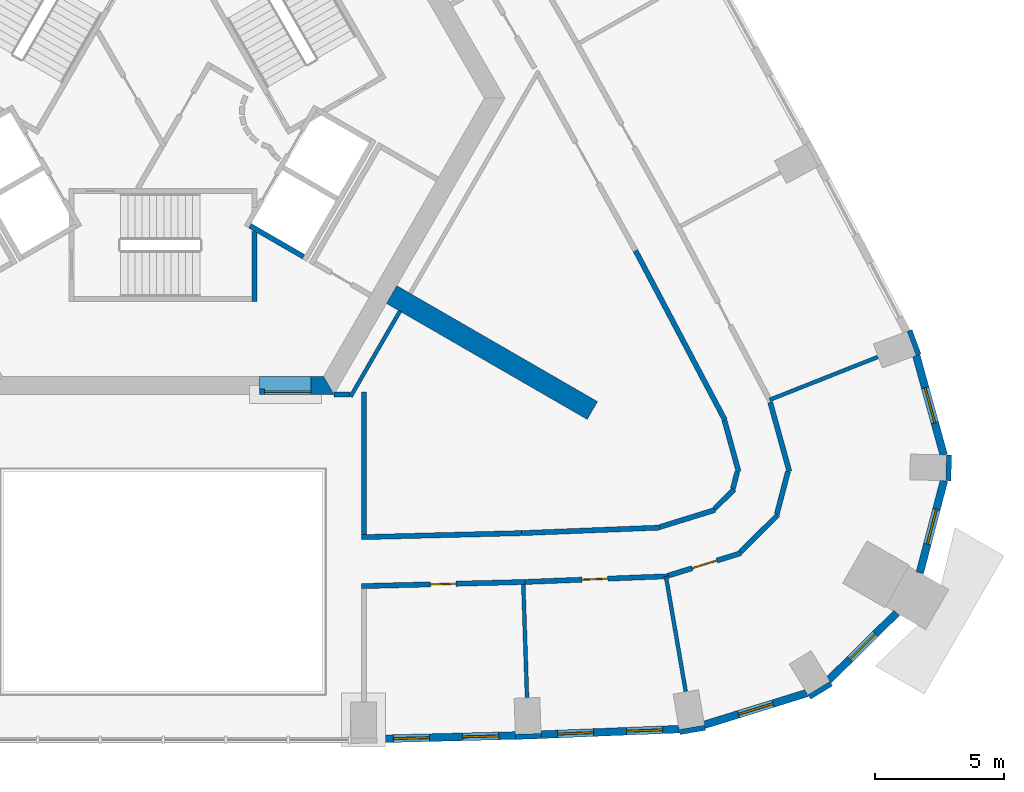
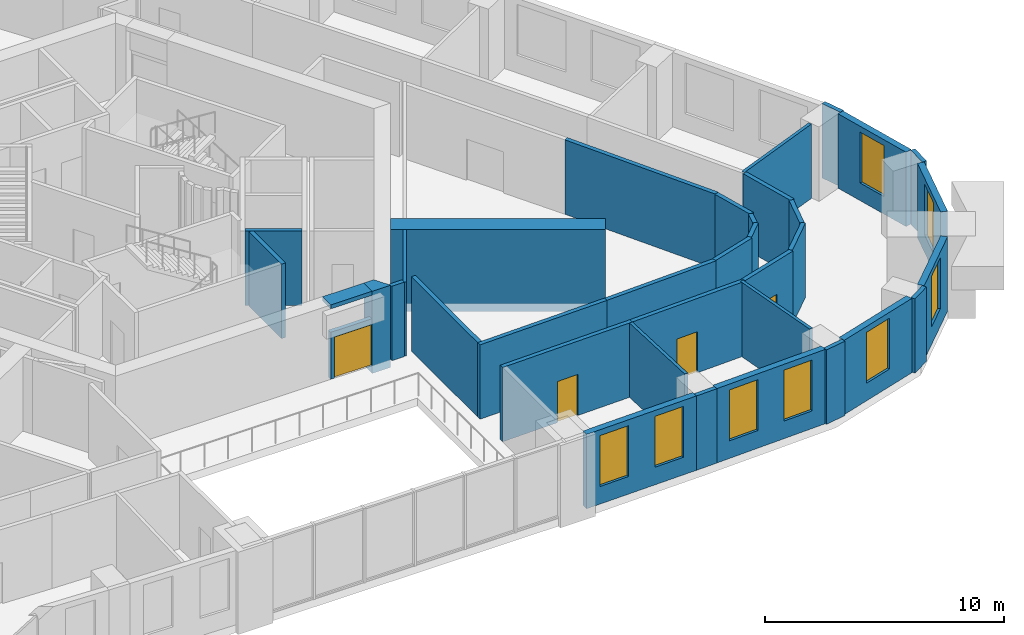
# One storey, part 6 of 13: 36 walls, 8 windows, 4 doors, 12 openings.
"""IFC4 building model written with IfcOpenShell, lengths in metres."""

from ifc_helpers import new_model, si_unit, direction, frame, frame_2d, origin, place, context, subcontext, project, spatial, polyline, rectangle, outline, extrude, material, layer, layer_set, type_object, element, fill, save


model = new_model("IFC4")

# Units and contexts
model_context = context("Model", 3, precision=1e-05, world=origin(), true_north=direction((0.0, 1.0)))
body_context = subcontext(model_context, "Body", "Model", "MODEL_VIEW")
ifc_project = project(units=[si_unit("LENGTHUNIT", "METRE"), si_unit("AREAUNIT", "SQUARE_METRE"), si_unit("VOLUMEUNIT", "CUBIC_METRE"), si_unit("PLANEANGLEUNIT", "RADIAN"), si_unit("MASSUNIT", "GRAM", prefix="KILO")], contexts=[model_context])

# Site, building, storey
site_placement = place(None, origin())
site = spatial("IfcSite", under=ifc_project, at=site_placement, CompositionType="ELEMENT")
building_placement = place(site_placement, origin())
building = spatial("IfcBuilding", under=site, at=building_placement, Name="Entoto Arch Interchange Tower", CompositionType="ELEMENT")
storey_placement = place(building_placement, frame((0.0, 0.0, 210.800048828125)))
storey = spatial("IfcBuildingStorey", under=building, at=storey_placement, Name="L47", CompositionType="ELEMENT", Elevation=210.800048828125)

# Wall
ifc_material_1 = material(Name="Concrete C50/60", Category="concrete")
ifc_layer_1 = layer(ifc_material_1, 0.800048828125)
ifc_layer_set_1 = layer_set([ifc_layer_1], Name="Concrete C50/60")
wall_type_1 = type_object("IfcWallType", Name="Buttress wall 800 C50/60", PredefinedType="SHEAR", material=ifc_layer_set_1)
wall_1_placement = place(storey_placement, frame((8.876953125, -5.125, -0.400146484375), z_axis=(0.0, 0.0, 1.0), x_axis=(0.866017533419, -0.500013631625, 0.0)))
element("IfcWall", 1, at=wall_1_placement, inside=storey, type_object=wall_type_1, Name="Buttress wall SE L47", PredefinedType="SHEAR", context=body_context, shape_type="SweptSolid", body=[
    extrude(rectangle(XDim=8.999755859375, YDim=0.800048828125, at=frame_2d((4.5, 0.0))), origin(), (0.0, 0.0, 1.0), 4.2001953125),
])

# Wall, opening, door
ifc_material_2 = material(Name="Reinforced concrete C40/50", Category="concrete")
ifc_layer_2 = layer(ifc_material_2, 0.199951171875)
ifc_layer_set_2 = layer_set([ifc_layer_2], Name="Reinforced concrete C40/50")
wall_type_2 = type_object("IfcWallType", Name="CORE GAP INFILL WALL", PredefinedType="PARTITIONING", material=ifc_layer_set_2)
wall_2_placement = place(storey_placement, frame((3.75, -8.89990234375, 0.0), z_axis=(0.0, 0.0, 1.0), x_axis=(1.0, 0.0, 0.0)))
wall_2 = element("IfcWall", 2, at=wall_2_placement, inside=storey, type_object=wall_type_2, Name="wall:L47:gap1", PredefinedType="PARTITIONING", context=body_context, shape_type="SweptSolid", body=[
    extrude(rectangle(XDim=2.0, YDim=0.199951171875, at=frame_2d((1.0, 0.0))), origin(), (0.0, 0.0, 1.0), 2.39990234375),
])
opening_1_placement = place(wall_2_placement, frame((0.18994140625, 0.0, 0.0)))
opening_1 = element("IfcOpeningElement", 3, at=opening_1_placement, cuts=wall_2, Name="Opening L47-D91", PredefinedType="OPENING", context=body_context, shape_type="SweptSolid", body=[
    extrude(rectangle(XDim=1.800048828125, YDim=2.10009765625, at=frame_2d((0.89990234375, 1.050048828125))), frame((0.0, 0.10986328125, 0.0), z_axis=(0.0, -1.0, 0.0), x_axis=(1.0, 0.0, 0.0)), (0.0, 0.0, 1.0), 0.219970703125),
])
ifc_material_3 = material(Name="Fire-rated Steel S235 door and frame", Category="steel")
door_type_1 = type_object("IfcDoorType", Name="DOOR FD-18 1800x2100", OperationType="DOUBLE_DOOR_SINGLE_SWING", PredefinedType="DOOR", material=ifc_material_3)
door_1_placement = place(opening_1_placement, origin())
door_1 = element("IfcDoor", 4, at=door_1_placement, inside=storey, type_object=door_type_1, Name="door:L47:gap1", OperationType="DOUBLE_DOOR_SINGLE_SWING", OverallHeight=2.10009765625, OverallWidth=1.800048828125, PredefinedType="DOOR", context=body_context, shape_type="SweptSolid", body=[
    extrude(rectangle(XDim=1.800048828125, YDim=2.10009765625, at=frame_2d((0.89990234375, 1.050048828125))), frame((0.0, 0.02490234375, 0.0), z_axis=(0.0, -1.0, 0.0), x_axis=(1.0, 0.0, 0.0)), (0.0, 0.0, 1.0), 0.050048828125),
])
fill(opening_1, door_1)

# Walls
ifc_layer_3 = layer(ifc_material_1, 0.699951171875)
ifc_layer_set_3 = layer_set([ifc_layer_3], Name="Concrete C50/60")
wall_type_3 = type_object("IfcWallType", Name="Core wall 700 C50/60", PredefinedType="SHEAR", material=ifc_layer_set_3)
wall_3_placement = place(storey_placement, frame((0.0, 0.0, -0.400146484375)))
element("IfcWall", 5, at=wall_3_placement, inside=storey, type_object=wall_type_3, Name="Core wall S L47", PredefinedType="SHEAR", context=body_context, shape_type="SweptSolid", body=[
    extrude(outline(polyline([(5.75, -8.300048828125), (5.75, -9.0), (6.639892578125, -9.0), (6.235107421875, -8.300048828125), (5.75, -8.300048828125)])), origin(), (0.0, 0.0, 1.0), 4.2001953125),
])
wall_4_placement = place(storey_placement, frame((0.0, 0.0, 3.599853515625)))
element("IfcWall", 6, at=wall_4_placement, inside=storey, type_object=wall_type_3, Name="Core wall lintel S L47", PredefinedType="SHEAR", context=body_context, shape_type="SweptSolid", body=[
    extrude(outline(polyline([(5.75, -9.0), (5.75, -8.300048828125), (3.75, -8.300048828125), (3.75, -9.0), (5.75, -9.0)])), origin(), (0.0, 0.0, 1.0), 0.2001953125),
])
ifc_material_4 = material(Name="Concrete C40/50", Category="concrete")
ifc_layer_4 = layer(ifc_material_4, 0.199951171875)
ifc_layer_set_4 = layer_set([ifc_layer_4], Name="Concrete C40/50")
wall_type_4 = type_object("IfcWallType", Name="LIFT SHAFT WALL 200", PredefinedType="STANDARD", material=ifc_layer_set_4)
wall_5_placement = place(storey_placement, frame((3.376953125, -2.451904296875, 0.0), z_axis=(0.0, 0.0, 1.0), x_axis=(0.865955154139, -0.50012165622, 0.0)))
element("IfcWall", 7, at=wall_5_placement, inside=storey, type_object=wall_type_4, Name="Shaft wall SE1 cross 1", PredefinedType="STANDARD", context=body_context, shape_type="SweptSolid", body=[
    extrude(rectangle(XDim=2.39990234375, YDim=0.199951171875, at=frame_2d((1.199951171875, 0.0))), origin(), (0.0, 0.0, 1.0), 3.800048828125),
])
ifc_material_5 = material(Name="Gypsum board partition on steel studs", Category="steel")
ifc_layer_5 = layer(ifc_material_5, 0.14990234375)
ifc_layer_set_5 = layer_set([ifc_layer_5], Name="Gypsum board partition on steel studs")
wall_type_5 = type_object("IfcWallType", Name="PARTITION 150", PredefinedType="PARTITIONING", material=ifc_layer_set_5)
wall_6_placement = place(storey_placement, frame((7.282958984375, -9.0859375, 0.0), z_axis=(0.0, 0.0, 1.0), x_axis=(0.500035303972, 0.866005020067, 0.0)))
element("IfcWall", 8, at=wall_6_placement, inside=storey, type_object=wall_type_5, Name="wall:L47:p078", PredefinedType="PARTITIONING", context=body_context, shape_type="SweptSolid", body=[
    extrude(rectangle(XDim=3.827880859375, YDim=0.14990234375, at=frame_2d((1.9140625, 0.0))), origin(), (0.0, 0.0, 1.0), 3.800048828125),
])
wall_7_placement = place(storey_placement, frame((13.989990234375, -16.385986328125, 0.0), z_axis=(0.0, 0.0, 1.0), x_axis=(0.032438863816, -0.999473721573, 0.0)))
element("IfcWall", 9, at=wall_7_placement, inside=storey, type_object=wall_type_5, Name="wall:L47:p109", PredefinedType="PARTITIONING", context=body_context, shape_type="SweptSolid", body=[
    extrude(rectangle(XDim=4.380126953125, YDim=0.14990234375, at=frame_2d((2.18994140625, 0.0))), origin(), (0.0, 0.0, 1.0), 3.800048828125),
])
wall_8_placement = place(storey_placement, frame((19.527099609375, -16.06494140625, 0.0), z_axis=(0.0, 0.0, 1.0), x_axis=(0.169437821314, -0.985540879268, 0.0)))
element("IfcWall", 10, at=wall_8_placement, inside=storey, type_object=wall_type_5, Name="wall:L47:p110", PredefinedType="PARTITIONING", context=body_context, shape_type="SweptSolid", body=[
    extrude(rectangle(XDim=4.531494140625, YDim=0.14990234375, at=frame_2d((2.265625, 0.0))), origin(), (0.0, 0.0, 1.0), 3.800048828125),
])
wall_9_placement = place(storey_placement, frame((23.552001953125, -9.2119140625, 0.0), z_axis=(0.0, 0.0, 1.0), x_axis=(0.929720624715, 0.368265610639, 0.0)))
element("IfcWall", 11, at=wall_9_placement, inside=storey, type_object=wall_type_5, Name="wall:L47:p111", PredefinedType="PARTITIONING", context=body_context, shape_type="SweptSolid", body=[
    extrude(rectangle(XDim=4.515380859375, YDim=0.14990234375, at=frame_2d((2.2578125, 0.0))), origin(), (0.0, 0.0, 1.0), 3.800048828125),
])
ifc_layer_6 = layer(ifc_material_5, 0.199951171875)
ifc_layer_set_6 = layer_set([ifc_layer_6], Name="Gypsum board partition on steel studs")
wall_type_6 = type_object("IfcWallType", Name="PARTITION 200", PredefinedType="PARTITIONING", material=ifc_layer_set_6)
wall_10_placement = place(storey_placement, frame((7.699951171875, -14.5439453125, 0.0), z_axis=(0.0, 0.0, 1.0), x_axis=(0.99968218628, 0.025209649611, 0.0)))
element("IfcWall", 12, at=wall_10_placement, inside=storey, type_object=wall_type_6, Name="wall:L47:p015", PredefinedType="PARTITIONING", context=body_context, shape_type="SweptSolid", body=[
    extrude(rectangle(XDim=6.22705078125, YDim=0.199951171875, at=frame_2d((3.113525390625, 0.0))), origin(), (0.0, 0.0, 1.0), 3.800048828125),
])
wall_11_placement = place(storey_placement, frame((13.925048828125, -14.386962890625, 0.0), z_axis=(0.0, 0.0, 1.0), x_axis=(0.999202986342, 0.039917315597, 0.0)))
element("IfcWall", 13, at=wall_11_placement, inside=storey, type_object=wall_type_6, Name="wall:L47:p016", PredefinedType="PARTITIONING", context=body_context, shape_type="SweptSolid", body=[
    extrude(rectangle(XDim=5.38232421875, YDim=0.199951171875, at=frame_2d((2.691162109375, 0.0))), origin(), (0.0, 0.0, 1.0), 3.800048828125),
])
wall_12_placement = place(storey_placement, frame((19.299072265625, -14.14697265625, 0.0), z_axis=(0.0, 0.0, 1.0), x_axis=(0.955241047187, 0.295828568211, 0.0)))
element("IfcWall", 14, at=wall_12_placement, inside=storey, type_object=wall_type_6, Name="wall:L47:p017", PredefinedType="PARTITIONING", context=body_context, shape_type="SweptSolid", body=[
    extrude(rectangle(XDim=2.234130859375, YDim=0.199951171875, at=frame_2d((1.1171875, 0.0))), origin(), (0.0, 0.0, 1.0), 3.800048828125),
])
wall_13_placement = place(storey_placement, frame((21.407958984375, -13.445068359375, 0.0), z_axis=(0.0, 0.0, 1.0), x_axis=(0.711298443117, 0.702890122863, 0.0)))
element("IfcWall", 15, at=wall_13_placement, inside=storey, type_object=wall_type_6, Name="wall:L47:p018", PredefinedType="PARTITIONING", context=body_context, shape_type="SweptSolid", body=[
    extrude(rectangle(XDim=1.07421875, YDim=0.199951171875, at=frame_2d((0.537109375, 0.0))), origin(), (0.0, 0.0, 1.0), 3.800048828125),
])
wall_14_placement = place(storey_placement, frame((22.1259765625, -12.6640625, 0.0), z_axis=(0.0, 0.0, 1.0), x_axis=(0.253079435581, 0.967445501972, 0.0)))
element("IfcWall", 16, at=wall_14_placement, inside=storey, type_object=wall_type_6, Name="wall:L47:p019", PredefinedType="PARTITIONING", context=body_context, shape_type="SweptSolid", body=[
    extrude(rectangle(XDim=0.68017578125, YDim=0.199951171875, at=frame_2d((0.340087890625, 0.0))), origin(), (0.0, 0.0, 1.0), 3.800048828125),
])
wall_15_placement = place(storey_placement, frame((22.35009765625, -12.006103515625, 0.0), z_axis=(0.0, 0.0, 1.0), x_axis=(-0.265584627827, 0.964087550725, 0.0)))
element("IfcWall", 17, at=wall_15_placement, inside=storey, type_object=wall_type_6, Name="wall:L47:p020", PredefinedType="PARTITIONING", context=body_context, shape_type="SweptSolid", body=[
    extrude(rectangle(XDim=2.0673828125, YDim=0.199951171875, at=frame_2d((1.03369140625, 0.0))), origin(), (0.0, 0.0, 1.0), 3.800048828125),
])
wall_16_placement = place(storey_placement, frame((21.821044921875, -10.0048828125, 0.0), z_axis=(0.0, 0.0, 1.0), x_axis=(-0.466770012358, 0.884378739887, 0.0)))
element("IfcWall", 18, at=wall_16_placement, inside=storey, type_object=wall_type_6, Name="wall:L47:p021", PredefinedType="PARTITIONING", context=body_context, shape_type="SweptSolid", body=[
    extrude(rectangle(XDim=7.44921875, YDim=0.199951171875, at=frame_2d((3.724609375, 0.0))), origin(), (0.0, 0.0, 1.0), 3.800048828125),
])

# Wall, opening, door
wall_17_placement = place(storey_placement, frame((14.06103515625, -16.283935546875, 0.0), z_axis=(0.0, 0.0, 1.0), x_axis=(-0.999679323762, -0.025322907453, 0.0)))
wall_17 = element("IfcWall", 19, at=wall_17_placement, inside=storey, type_object=wall_type_6, Name="wall:L47:p037", PredefinedType="PARTITIONING", context=body_context, shape_type="SweptSolid", body=[
    extrude(rectangle(XDim=6.363037109375, YDim=0.199951171875, at=frame_2d((3.181640625, 0.0))), origin(), (0.0, 0.0, 1.0), 3.800048828125),
])
opening_2_placement = place(wall_17_placement, frame((2.681884765625, 0.0, 0.0)))
opening_2 = element("IfcOpeningElement", 20, at=opening_2_placement, cuts=wall_17, Name="Opening L47-D01", PredefinedType="OPENING", context=body_context, shape_type="SweptSolid", body=[
    extrude(rectangle(XDim=1.0, YDim=2.10009765625, at=frame_2d((0.5, 1.050048828125))), frame((0.0, 0.10986328125, 0.0), z_axis=(0.0, -1.0, 0.0), x_axis=(1.0, 0.0, 0.0)), (0.0, 0.0, 1.0), 0.219970703125),
])
ifc_material_6 = material(Name="Timber door leaf in Steel S235 frame", Category="steel")
door_type_2 = type_object("IfcDoorType", Name="DOOR DS-10 1000x2100", OperationType="SINGLE_SWING_LEFT", PredefinedType="DOOR", material=ifc_material_6)
door_2_placement = place(opening_2_placement, origin())
door_2 = element("IfcDoor", 21, at=door_2_placement, inside=storey, type_object=door_type_2, Name="door:L47:01", OperationType="SINGLE_SWING_LEFT", OverallHeight=2.10009765625, OverallWidth=1.0, PredefinedType="DOOR", context=body_context, shape_type="SweptSolid", body=[
    extrude(rectangle(XDim=1.0, YDim=2.10009765625, at=frame_2d((0.5, 1.050048828125))), frame((0.0, 0.02490234375, 0.0), z_axis=(0.0, -1.0, 0.0), x_axis=(1.0, 0.0, 0.0)), (0.0, 0.0, 1.0), 0.050048828125),
])
fill(opening_2, door_2)

wall_18_placement = place(storey_placement, frame((19.626953125, -16.06103515625, 0.0), z_axis=(0.0, 0.0, 1.0), x_axis=(-0.999206061563, -0.039840262741, 0.0)))
wall_18 = element("IfcWall", 22, at=wall_18_placement, inside=storey, type_object=wall_type_6, Name="wall:L47:p038", PredefinedType="PARTITIONING", context=body_context, shape_type="SweptSolid", body=[
    extrude(rectangle(XDim=5.5703125, YDim=0.199951171875, at=frame_2d((2.78515625, 0.0))), origin(), (0.0, 0.0, 1.0), 3.800048828125),
])
opening_3_placement = place(wall_18_placement, frame((2.360107421875, 0.0, 0.0)))
opening_3 = element("IfcOpeningElement", 23, at=opening_3_placement, cuts=wall_18, Name="Opening L47-D02", PredefinedType="OPENING", context=body_context, shape_type="SweptSolid", body=[
    extrude(rectangle(XDim=1.0, YDim=2.10009765625, at=frame_2d((0.5, 1.050048828125))), frame((0.0, 0.10986328125, 0.0), z_axis=(0.0, -1.0, 0.0), x_axis=(1.0, 0.0, 0.0)), (0.0, 0.0, 1.0), 0.219970703125),
])
door_3_placement = place(opening_3_placement, origin())
door_3 = element("IfcDoor", 24, at=door_3_placement, inside=storey, type_object=door_type_2, Name="door:L47:02", OperationType="SINGLE_SWING_LEFT", OverallHeight=2.10009765625, OverallWidth=1.0, PredefinedType="DOOR", context=body_context, shape_type="SweptSolid", body=[
    extrude(rectangle(XDim=1.0, YDim=2.10009765625, at=frame_2d((0.5, 1.050048828125))), frame((0.0, 0.02490234375, 0.0), z_axis=(0.0, -1.0, 0.0), x_axis=(1.0, 0.0, 0.0)), (0.0, 0.0, 1.0), 0.050048828125),
])
fill(opening_3, door_3)

# Walls
wall_19_placement = place(storey_placement, frame((23.577880859375, -9.30908203125, 0.0), z_axis=(0.0, 0.0, 1.0), x_axis=(0.265884037198, -0.964005020092, 0.0)))
element("IfcWall", 25, at=wall_19_placement, inside=storey, type_object=wall_type_6, Name="wall:L47:p039", PredefinedType="PARTITIONING", context=body_context, shape_type="SweptSolid", body=[
    extrude(rectangle(XDim=2.783935546875, YDim=0.199951171875, at=frame_2d((1.39208984375, 0.0))), origin(), (0.0, 0.0, 1.0), 3.800048828125),
])
wall_20_placement = place(storey_placement, frame((24.26611328125, -11.992919921875, 0.0), z_axis=(0.0, 0.0, 1.0), x_axis=(-0.253025690571, -0.967459559832, 0.0)))
element("IfcWall", 26, at=wall_20_placement, inside=storey, type_object=wall_type_6, Name="wall:L47:p040", PredefinedType="PARTITIONING", context=body_context, shape_type="SweptSolid", body=[
    extrude(rectangle(XDim=1.711669921875, YDim=0.199951171875, at=frame_2d((0.85595703125, 0.0))), origin(), (0.0, 0.0, 1.0), 3.800048828125),
])
wall_21_placement = place(storey_placement, frame((23.8779296875, -13.675048828125, 0.0), z_axis=(0.0, 0.0, 1.0), x_axis=(-0.710949827962, -0.703242733429, 0.0)))
element("IfcWall", 27, at=wall_21_placement, inside=storey, type_object=wall_type_6, Name="wall:L47:p041", PredefinedType="PARTITIONING", context=body_context, shape_type="SweptSolid", body=[
    extrude(rectangle(XDim=2.05908203125, YDim=0.199951171875, at=frame_2d((1.029541015625, 0.0))), origin(), (0.0, 0.0, 1.0), 3.800048828125),
])

# Wall, opening, door
wall_22_placement = place(storey_placement, frame((22.43798828125, -15.1630859375, 0.0), z_axis=(0.0, 0.0, 1.0), x_axis=(-0.955234616163, -0.295849333419, 0.0)))
wall_22 = element("IfcWall", 28, at=wall_22_placement, inside=storey, type_object=wall_type_6, Name="wall:L47:p042", PredefinedType="PARTITIONING", context=body_context, shape_type="SweptSolid", body=[
    extrude(rectangle(XDim=2.94677734375, YDim=0.199951171875, at=frame_2d((1.473388671875, 0.0))), origin(), (0.0, 0.0, 1.0), 3.800048828125),
])
opening_4_placement = place(wall_22_placement, frame((0.97412109375, 0.0, 0.0)))
opening_4 = element("IfcOpeningElement", 29, at=opening_4_placement, cuts=wall_22, Name="Opening L47-D03", PredefinedType="OPENING", context=body_context, shape_type="SweptSolid", body=[
    extrude(rectangle(XDim=1.0, YDim=2.10009765625, at=frame_2d((0.5, 1.050048828125))), frame((0.0, 0.10986328125, 0.0), z_axis=(0.0, -1.0, 0.0), x_axis=(1.0, 0.0, 0.0)), (0.0, 0.0, 1.0), 0.219970703125),
])
door_4_placement = place(opening_4_placement, origin())
door_4 = element("IfcDoor", 30, at=door_4_placement, inside=storey, type_object=door_type_2, Name="door:L47:03", OperationType="SINGLE_SWING_LEFT", OverallHeight=2.10009765625, OverallWidth=1.0, PredefinedType="DOOR", context=body_context, shape_type="SweptSolid", body=[
    extrude(rectangle(XDim=1.0, YDim=2.10009765625, at=frame_2d((0.5, 1.050048828125))), frame((0.0, 0.02490234375, 0.0), z_axis=(0.0, -1.0, 0.0), x_axis=(1.0, 0.0, 0.0)), (0.0, 0.0, 1.0), 0.050048828125),
])
fill(opening_4, door_4)

# Walls
wall_23_placement = place(storey_placement, frame((6.64111328125, -8.9990234375, 0.0), z_axis=(0.0, 0.0, 1.0), x_axis=(1.0, 0.0, 0.0)))
element("IfcWall", 31, at=wall_23_placement, inside=storey, type_object=wall_type_6, Name="wall:L47:p077", PredefinedType="PARTITIONING", context=body_context, shape_type="SweptSolid", body=[
    extrude(rectangle(XDim=0.616943359375, YDim=0.199951171875, at=frame_2d((0.30859375, 0.0))), origin(), (0.0, 0.0, 1.0), 3.800048828125),
])
wall_24_placement = place(storey_placement, frame((7.800048828125, -8.89892578125, 0.0), z_axis=(0.0, 0.0, 1.0), x_axis=(0.0, -1.0, 0.0)))
element("IfcWall", 32, at=wall_24_placement, inside=storey, type_object=wall_type_6, Name="wall:L47:p091", PredefinedType="PARTITIONING", context=body_context, shape_type="SweptSolid", body=[
    extrude(rectangle(XDim=5.5419921875, YDim=0.199951171875, at=frame_2d((2.77099609375, 0.0))), origin(), (0.0, 0.0, 1.0), 3.800048828125),
])
ifc_layer_7 = layer(ifc_material_4, 0.199951171875)
ifc_layer_set_7 = layer_set([ifc_layer_7], Name="Concrete C40/50")
wall_type_7 = type_object("IfcWallType", Name="STAIR ENCLOSURE WALL 200", PredefinedType="STANDARD", material=ifc_layer_set_7)
wall_25_placement = place(storey_placement, frame((3.550048828125, -2.6669921875, 0.0), z_axis=(0.0, 0.0, 1.0), x_axis=(0.0, -1.0, 0.0)))
element("IfcWall", 33, at=wall_25_placement, inside=storey, type_object=wall_type_7, Name="Stair wall ST-S far", PredefinedType="STANDARD", context=body_context, shape_type="SweptSolid", body=[
    extrude(rectangle(XDim=2.73291015625, YDim=0.199951171875, at=frame_2d((1.366455078125, 0.0))), origin(), (0.0, 0.0, 1.0), 3.800048828125),
])

# Wall, openings, windows
ifc_material_7 = material(Name="Welded tuff (ignimbrite) cladding, warm buff", Category="masonry")
ifc_layer_8 = layer(ifc_material_7, 0.300048828125)
ifc_layer_set_8 = layer_set([ifc_layer_8], Name="Welded tuff (ignimbrite) cladding, warm buff")
wall_type_8 = type_object("IfcWallType", Name="STONE INFILL WALL 300", PredefinedType="STANDARD", material=ifc_layer_set_8)
wall_26_placement = place(storey_placement, frame((8.297119140625, -22.381103515625, 0.0), z_axis=(0.0, 0.0, 1.0), x_axis=(0.999685717988, 0.025069209235, 0.0)))
wall_26 = element("IfcWall", 34, at=wall_26_placement, inside=storey, type_object=wall_type_8, Name="Facade wall S-04 L47", PredefinedType="STANDARD", context=body_context, shape_type="SweptSolid", body=[
    extrude(rectangle(XDim=5.385498046875, YDim=0.300048828125, at=frame_2d((2.69287109375, 0.0))), origin(), (0.0, 0.0, 1.0), 3.800048828125),
])
opening_5_placement = place(wall_26_placement, frame((0.64599609375, 0.0, 0.89990234375)))
opening_5 = element("IfcOpeningElement", 35, at=opening_5_placement, cuts=wall_26, Name="Opening WO-B", PredefinedType="OPENING", context=body_context, shape_type="SweptSolid", body=[
    extrude(rectangle(XDim=1.39990234375, YDim=2.60009765625, at=frame_2d((0.699951171875, 1.300048828125))), frame((0.0, 0.16015625, 0.0), z_axis=(0.0, -1.0, 0.0), x_axis=(1.0, 0.0, 0.0)), (0.0, 0.0, 1.0), 0.320068359375),
])
opening_6_placement = place(wall_26_placement, frame((3.339111328125, 0.0, 0.89990234375)))
opening_6 = element("IfcOpeningElement", 36, at=opening_6_placement, cuts=wall_26, Name="Opening WO-B", PredefinedType="OPENING", context=body_context, shape_type="SweptSolid", body=[
    extrude(rectangle(XDim=1.39990234375, YDim=2.60009765625, at=frame_2d((0.699951171875, 1.300048828125))), frame((0.0, 0.16015625, 0.0), z_axis=(0.0, -1.0, 0.0), x_axis=(1.0, 0.0, 0.0)), (0.0, 0.0, 1.0), 0.320068359375),
])
ifc_material_8 = material(Name="Clear glass, low-e double glazed", Category="glass")
window_type = type_object("IfcWindowType", Name="WINDOW WO-B 1400x2600", PartitioningType="DOUBLE_PANEL_VERTICAL", PredefinedType="WINDOW", material=ifc_material_8)
window_1_placement = place(opening_5_placement, origin())
window_1 = element("IfcWindow", 37, at=window_1_placement, inside=storey, type_object=window_type, Name="Window WO-B S-04 L47", OverallHeight=2.60009765625, OverallWidth=1.39990234375, PartitioningType="SINGLE_PANEL", PredefinedType="WINDOW", context=body_context, shape_type="SweptSolid", body=[
    extrude(rectangle(XDim=1.39990234375, YDim=2.60009765625, at=frame_2d((0.699951171875, 1.300048828125))), frame((0.0, 0.030029296875, 0.0), z_axis=(0.0, -1.0, 0.0), x_axis=(1.0, 0.0, 0.0)), (0.0, 0.0, 1.0), 0.06005859375),
])
fill(opening_5, window_1)
window_2_placement = place(opening_6_placement, origin())
window_2 = element("IfcWindow", 38, at=window_2_placement, inside=storey, type_object=window_type, Name="Window WO-B S-04 L47", OverallHeight=2.60009765625, OverallWidth=1.39990234375, PartitioningType="SINGLE_PANEL", PredefinedType="WINDOW", context=body_context, shape_type="SweptSolid", body=[
    extrude(rectangle(XDim=1.39990234375, YDim=2.60009765625, at=frame_2d((0.699951171875, 1.300048828125))), frame((0.0, 0.030029296875, 0.0), z_axis=(0.0, -1.0, 0.0), x_axis=(1.0, 0.0, 0.0)), (0.0, 0.0, 1.0), 0.06005859375),
])
fill(opening_6, window_2)

wall_27_placement = place(storey_placement, frame((14.678955078125, -22.212890625, 0.0), z_axis=(0.0, 0.0, 1.0), x_axis=(0.999205241612, 0.039860822062, 0.0)))
wall_27 = element("IfcWall", 39, at=wall_27_placement, inside=storey, type_object=wall_type_8, Name="Facade wall S-05 L47", PredefinedType="STANDARD", context=body_context, shape_type="SweptSolid", body=[
    extrude(rectangle(XDim=5.365234375, YDim=0.300048828125, at=frame_2d((2.6826171875, 0.0))), origin(), (0.0, 0.0, 1.0), 3.800048828125),
])
opening_7_placement = place(wall_27_placement, frame((0.64111328125, 0.0, 0.89990234375)))
opening_7 = element("IfcOpeningElement", 40, at=opening_7_placement, cuts=wall_27, Name="Opening WO-B", PredefinedType="OPENING", context=body_context, shape_type="SweptSolid", body=[
    extrude(rectangle(XDim=1.39990234375, YDim=2.60009765625, at=frame_2d((0.699951171875, 1.300048828125))), frame((0.0, 0.16015625, 0.0), z_axis=(0.0, -1.0, 0.0), x_axis=(1.0, 0.0, 0.0)), (0.0, 0.0, 1.0), 0.320068359375),
])
opening_8_placement = place(wall_27_placement, frame((3.323974609375, 0.0, 0.89990234375)))
opening_8 = element("IfcOpeningElement", 41, at=opening_8_placement, cuts=wall_27, Name="Opening WO-B", PredefinedType="OPENING", context=body_context, shape_type="SweptSolid", body=[
    extrude(rectangle(XDim=1.39990234375, YDim=2.60009765625, at=frame_2d((0.699951171875, 1.300048828125))), frame((0.0, 0.16015625, 0.0), z_axis=(0.0, -1.0, 0.0), x_axis=(1.0, 0.0, 0.0)), (0.0, 0.0, 1.0), 0.320068359375),
])
window_3_placement = place(opening_7_placement, origin())
window_3 = element("IfcWindow", 42, at=window_3_placement, inside=storey, type_object=window_type, Name="Window WO-B S-05 L47", OverallHeight=2.60009765625, OverallWidth=1.39990234375, PartitioningType="SINGLE_PANEL", PredefinedType="WINDOW", context=body_context, shape_type="SweptSolid", body=[
    extrude(rectangle(XDim=1.39990234375, YDim=2.60009765625, at=frame_2d((0.699951171875, 1.300048828125))), frame((0.0, 0.030029296875, 0.0), z_axis=(0.0, -1.0, 0.0), x_axis=(1.0, 0.0, 0.0)), (0.0, 0.0, 1.0), 0.06005859375),
])
fill(opening_7, window_3)
window_4_placement = place(opening_8_placement, origin())
window_4 = element("IfcWindow", 43, at=window_4_placement, inside=storey, type_object=window_type, Name="Window WO-B S-05 L47", OverallHeight=2.60009765625, OverallWidth=1.39990234375, PartitioningType="SINGLE_PANEL", PredefinedType="WINDOW", context=body_context, shape_type="SweptSolid", body=[
    extrude(rectangle(XDim=1.39990234375, YDim=2.60009765625, at=frame_2d((0.699951171875, 1.300048828125))), frame((0.0, 0.030029296875, 0.0), z_axis=(0.0, -1.0, 0.0), x_axis=(1.0, 0.0, 0.0)), (0.0, 0.0, 1.0), 0.06005859375),
])
fill(opening_8, window_4)

# Wall, opening, window
wall_28_placement = place(storey_placement, frame((21.02392578125, -21.830078125, 0.0), z_axis=(0.0, 0.0, 1.0), x_axis=(0.955247215067, 0.295808651171, 0.0)))
wall_28 = element("IfcWall", 44, at=wall_28_placement, inside=storey, type_object=wall_type_8, Name="Facade wall SE-01 L47", PredefinedType="STANDARD", context=body_context, shape_type="SweptSolid", body=[
    extrude(rectangle(XDim=4.161376953125, YDim=0.300048828125, at=frame_2d((2.08056640625, 0.0))), origin(), (0.0, 0.0, 1.0), 3.800048828125),
])
opening_9_placement = place(wall_28_placement, frame((1.381103515625, 0.0, 0.89990234375)))
opening_9 = element("IfcOpeningElement", 45, at=opening_9_placement, cuts=wall_28, Name="Opening WO-B", PredefinedType="OPENING", context=body_context, shape_type="SweptSolid", body=[
    extrude(rectangle(XDim=1.39990234375, YDim=2.60009765625, at=frame_2d((0.699951171875, 1.300048828125))), frame((0.0, 0.16015625, 0.0), z_axis=(0.0, -1.0, 0.0), x_axis=(1.0, 0.0, 0.0)), (0.0, 0.0, 1.0), 0.320068359375),
])
window_5_placement = place(opening_9_placement, origin())
window_5 = element("IfcWindow", 46, at=window_5_placement, inside=storey, type_object=window_type, Name="Window WO-B SE-01 L47", OverallHeight=2.60009765625, OverallWidth=1.39990234375, PartitioningType="SINGLE_PANEL", PredefinedType="WINDOW", context=body_context, shape_type="SweptSolid", body=[
    extrude(rectangle(XDim=1.39990234375, YDim=2.60009765625, at=frame_2d((0.699951171875, 1.300048828125))), frame((0.0, 0.030029296875, 0.0), z_axis=(0.0, -1.0, 0.0), x_axis=(1.0, 0.0, 0.0)), (0.0, 0.0, 1.0), 0.06005859375),
])
fill(opening_9, window_5)

wall_29_placement = place(storey_placement, frame((25.85498046875, -20.0869140625, 0.0), z_axis=(0.0, 0.0, 1.0), x_axis=(0.711316812334, 0.702871533419, 0.0)))
wall_29 = element("IfcWall", 47, at=wall_29_placement, inside=storey, type_object=wall_type_8, Name="Facade wall SE-02 L47", PredefinedType="STANDARD", context=body_context, shape_type="SweptSolid", body=[
    extrude(rectangle(XDim=3.7001953125, YDim=0.300048828125, at=frame_2d((1.85009765625, 0.0))), origin(), (0.0, 0.0, 1.0), 3.800048828125),
])
opening_10_placement = place(wall_29_placement, frame((1.14990234375, 0.0, 0.89990234375)))
opening_10 = element("IfcOpeningElement", 48, at=opening_10_placement, cuts=wall_29, Name="Opening WO-B", PredefinedType="OPENING", context=body_context, shape_type="SweptSolid", body=[
    extrude(rectangle(XDim=1.39990234375, YDim=2.60009765625, at=frame_2d((0.699951171875, 1.300048828125))), frame((0.0, 0.16015625, 0.0), z_axis=(0.0, -1.0, 0.0), x_axis=(1.0, 0.0, 0.0)), (0.0, 0.0, 1.0), 0.320068359375),
])
window_6_placement = place(opening_10_placement, origin())
window_6 = element("IfcWindow", 49, at=window_6_placement, inside=storey, type_object=window_type, Name="Window WO-B SE-02 L47", OverallHeight=2.60009765625, OverallWidth=1.39990234375, PartitioningType="SINGLE_PANEL", PredefinedType="WINDOW", context=body_context, shape_type="SweptSolid", body=[
    extrude(rectangle(XDim=1.39990234375, YDim=2.60009765625, at=frame_2d((0.699951171875, 1.300048828125))), frame((0.0, 0.030029296875, 0.0), z_axis=(0.0, -1.0, 0.0), x_axis=(1.0, 0.0, 0.0)), (0.0, 0.0, 1.0), 0.06005859375),
])
fill(opening_10, window_6)

wall_30_placement = place(storey_placement, frame((29.385986328125, -15.927978515625, 0.0), z_axis=(0.0, 0.0, 1.0), x_axis=(0.253200635583, 0.96741378848, 0.0)))
wall_30 = element("IfcWall", 50, at=wall_30_placement, inside=storey, type_object=wall_type_8, Name="Facade wall SE-03 L47", PredefinedType="STANDARD", context=body_context, shape_type="SweptSolid", body=[
    extrude(rectangle(XDim=3.70068359375, YDim=0.300048828125, at=frame_2d((1.850341796875, 0.0))), origin(), (0.0, 0.0, 1.0), 3.800048828125),
])
opening_11_placement = place(wall_30_placement, frame((1.14990234375, 0.0, 0.89990234375)))
opening_11 = element("IfcOpeningElement", 51, at=opening_11_placement, cuts=wall_30, Name="Opening WO-B", PredefinedType="OPENING", context=body_context, shape_type="SweptSolid", body=[
    extrude(rectangle(XDim=1.39990234375, YDim=2.60009765625, at=frame_2d((0.699951171875, 1.300048828125))), frame((0.0, 0.16015625, 0.0), z_axis=(0.0, -1.0, 0.0), x_axis=(1.0, 0.0, 0.0)), (0.0, 0.0, 1.0), 0.320068359375),
])
window_7_placement = place(opening_11_placement, origin())
window_7 = element("IfcWindow", 52, at=window_7_placement, inside=storey, type_object=window_type, Name="Window WO-B SE-03 L47", OverallHeight=2.60009765625, OverallWidth=1.39990234375, PartitioningType="SINGLE_PANEL", PredefinedType="WINDOW", context=body_context, shape_type="SweptSolid", body=[
    extrude(rectangle(XDim=1.39990234375, YDim=2.60009765625, at=frame_2d((0.699951171875, 1.300048828125))), frame((0.0, 0.030029296875, 0.0), z_axis=(0.0, -1.0, 0.0), x_axis=(1.0, 0.0, 0.0)), (0.0, 0.0, 1.0), 0.06005859375),
])
fill(opening_11, window_7)

wall_31_placement = place(storey_placement, frame((30.31201171875, -11.35009765625, 0.0), z_axis=(0.0, 0.0, 1.0), x_axis=(-0.265534577923, 0.96410133696, 0.0)))
wall_31 = element("IfcWall", 53, at=wall_31_placement, inside=storey, type_object=wall_type_8, Name="Facade wall SE-04 L47", PredefinedType="STANDARD", context=body_context, shape_type="SweptSolid", body=[
    extrude(rectangle(XDim=4.0068359375, YDim=0.300048828125, at=frame_2d((2.00341796875, 0.0))), origin(), (0.0, 0.0, 1.0), 3.800048828125),
])
opening_12_placement = place(wall_31_placement, frame((1.302978515625, 0.0, 0.89990234375)))
opening_12 = element("IfcOpeningElement", 54, at=opening_12_placement, cuts=wall_31, Name="Opening WO-B", PredefinedType="OPENING", context=body_context, shape_type="SweptSolid", body=[
    extrude(rectangle(XDim=1.39990234375, YDim=2.60009765625, at=frame_2d((0.699951171875, 1.300048828125))), frame((0.0, 0.16015625, 0.0), z_axis=(0.0, -1.0, 0.0), x_axis=(1.0, 0.0, 0.0)), (0.0, 0.0, 1.0), 0.320068359375),
])
window_8_placement = place(opening_12_placement, origin())
window_8 = element("IfcWindow", 55, at=window_8_placement, inside=storey, type_object=window_type, Name="Window WO-B SE-04 L47", OverallHeight=2.60009765625, OverallWidth=1.39990234375, PartitioningType="SINGLE_PANEL", PredefinedType="WINDOW", context=body_context, shape_type="SweptSolid", body=[
    extrude(rectangle(XDim=1.39990234375, YDim=2.60009765625, at=frame_2d((0.699951171875, 1.300048828125))), frame((0.0, 0.030029296875, 0.0), z_axis=(0.0, -1.0, 0.0), x_axis=(1.0, 0.0, 0.0)), (0.0, 0.0, 1.0), 0.06005859375),
])
fill(opening_12, window_8)

# Walls
ifc_layer_9 = layer(ifc_material_7, 0.199951171875)
ifc_layer_set_9 = layer_set([ifc_layer_9], Name="Welded tuff (ignimbrite) cladding, warm buff")
wall_type_9 = type_object("IfcWallType", Name="STONE PIER CLADDING 200", PredefinedType="STANDARD", material=ifc_layer_set_9)
wall_32_placement = place(storey_placement, frame((29.3359375, -7.4560546875, 0.0), z_axis=(0.0, 0.0, 1.0), x_axis=(-0.346892928577, 0.937904737222, 0.0)))
element("IfcWall", 56, at=wall_32_placement, inside=storey, type_object=wall_type_9, Name="Stone pier NE01 L47", PredefinedType="STANDARD", context=body_context, shape_type="SweptSolid", body=[
    extrude(rectangle(XDim=1.0, YDim=0.199951171875, at=frame_2d((0.5, 0.0))), origin(), (0.0, 0.0, 1.0), 3.800048828125),
])
wall_33_placement = place(storey_placement, frame((13.681884765625, -22.300048828125, 0.0), z_axis=(0.0, 0.0, 1.0), x_axis=(0.999423561854, 0.033949138587, 0.0)))
element("IfcWall", 57, at=wall_33_placement, inside=storey, type_object=wall_type_9, Name="Stone pier S05 L47", PredefinedType="STANDARD", context=body_context, shape_type="SweptSolid", body=[
    extrude(rectangle(XDim=0.99951171875, YDim=0.199951171875, at=frame_2d((0.499755859375, 0.0))), origin(), (0.0, 0.0, 1.0), 3.800048828125),
])
wall_34_placement = place(storey_placement, frame((20.05908203125, -22.114013671875, 0.0), z_axis=(0.0, 0.0, 1.0), x_axis=(0.985631544579, 0.168909615862, 0.0)))
element("IfcWall", 58, at=wall_34_placement, inside=storey, type_object=wall_type_9, Name="Stone pier S06 L47", PredefinedType="STANDARD", context=body_context, shape_type="SweptSolid", body=[
    extrude(rectangle(XDim=1.000244140625, YDim=0.199951171875, at=frame_2d((0.5, 0.0))), origin(), (0.0, 0.0, 1.0), 3.800048828125),
])
wall_35_placement = place(storey_placement, frame((25.092041015625, -20.75390625, 0.0), z_axis=(0.0, 0.0, 1.0), x_axis=(0.853679739553, 0.520798331677, 0.0)))
element("IfcWall", 59, at=wall_35_placement, inside=storey, type_object=wall_type_9, Name="Stone pier SE1 L47", PredefinedType="STANDARD", context=body_context, shape_type="SweptSolid", body=[
    extrude(rectangle(XDim=1.00048828125, YDim=0.199951171875, at=frame_2d((0.500244140625, 0.0))), origin(), (0.0, 0.0, 1.0), 3.800048828125),
])
wall_36_placement = place(storey_placement, frame((30.4951171875, -12.35302734375, 0.0), z_axis=(0.0, 0.0, 1.0), x_axis=(0.023942303888, 0.999713341956, 0.0)))
element("IfcWall", 60, at=wall_36_placement, inside=storey, type_object=wall_type_9, Name="Stone pier SE3 L47", PredefinedType="STANDARD", context=body_context, shape_type="SweptSolid", body=[
    extrude(rectangle(XDim=0.999267578125, YDim=0.199951171875, at=frame_2d((0.49951171875, 0.0))), origin(), (0.0, 0.0, 1.0), 3.800048828125),
])

save(model, "model.ifc")
